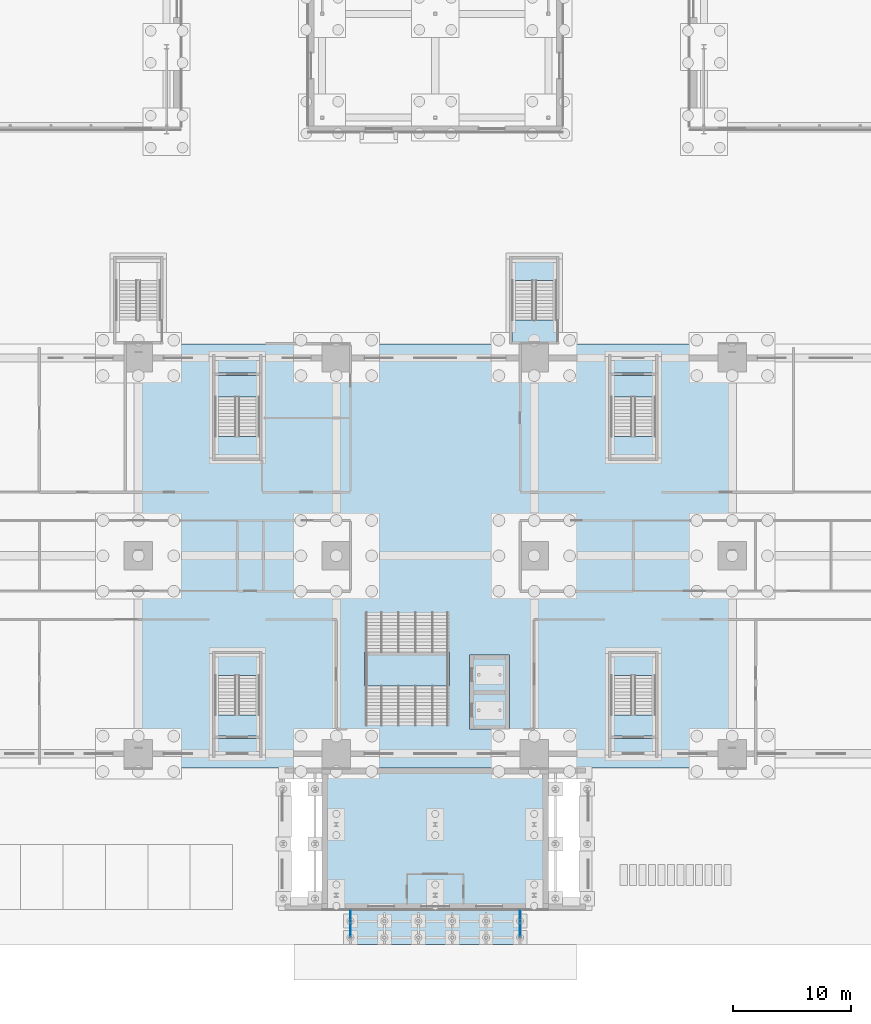
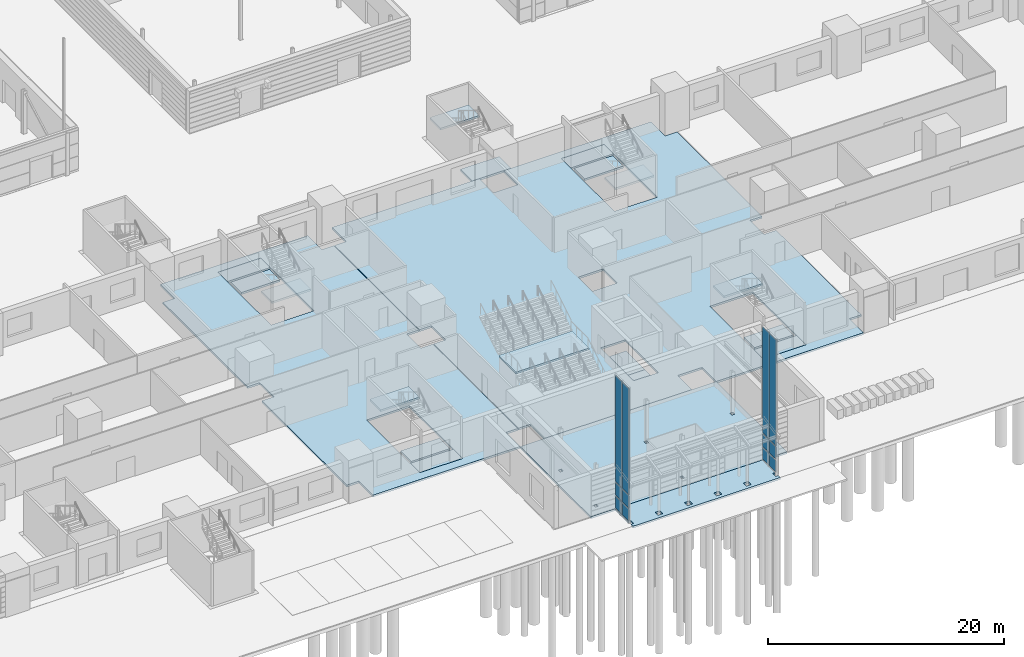
# One storey, part 73 of 139: 21 slabs, 12 plates, 8 elements without a shape of their own.
"""IFC4 building model written with IfcOpenShell, lengths in metres."""

from ifc_helpers import new_model, si_unit, direction, frame, origin, origin_2d, place, context, subcontext, project, spatial, polyline, rectangle, outline, extrude, material, layer, layer_set, type_object, element, aggregate, save


model = new_model("IFC4")

# Units and contexts
model_context = context("Model", 3, precision=1e-05, world=origin(), true_north=direction((0.0, 1.0)))
body_context = subcontext(model_context, "Body", "Model", "MODEL_VIEW")
ifc_project = project(units=[si_unit("LENGTHUNIT", "METRE"), si_unit("AREAUNIT", "SQUARE_METRE"), si_unit("VOLUMEUNIT", "CUBIC_METRE"), si_unit("PLANEANGLEUNIT", "RADIAN"), si_unit("MASSUNIT", "GRAM", prefix="KILO")], contexts=[model_context])

# Site, building, storey
site_placement = place(None, origin())
site = spatial("IfcSite", under=ifc_project, at=site_placement, CompositionType="ELEMENT")
building_placement = place(site_placement, origin())
building = spatial("IfcBuilding", under=site, at=building_placement, Name="Verrick Yard Athletic Hall", CompositionType="ELEMENT")
storey_placement = place(building_placement, origin())
storey = spatial("IfcBuildingStorey", under=building, at=storey_placement, Name="L00", CompositionType="ELEMENT", Elevation=0.0)

# Slabs
ifc_material_1 = material(Name="Concrete 35 MPa", Category="concrete")
ifc_layer_1 = layer(ifc_material_1, 0.199951171875)
ifc_layer_set_1 = layer_set([ifc_layer_1], Name="Core ground slab 200")
slab_type_1 = type_object("IfcSlabType", Name="Core ground slab 200", PredefinedType="BASESLAB", material=ifc_layer_set_1)
slab_1_placement = place(storey_placement, frame((0.0, 0.0, -0.199951171875)))
element("IfcSlab", 1, at=slab_1_placement, inside=storey, type_object=slab_type_1, Name="CORE-DT-N2-NL-L00", PredefinedType="BASESLAB", context=body_context, shape_type="SweptSolid", body=[
    extrude(outline(polyline([(109.10009765625, 54.0), (109.10009765625, 56.0), (105.300048828125, 56.0), (105.300048828125, 54.0), (109.10009765625, 54.0)])), origin(), (0.0, 0.0, 1.0), 0.199951171875),
])
slab_2_placement = place(storey_placement, frame((0.0, 0.0, -0.199951171875)))
element("IfcSlab", 2, at=slab_2_placement, inside=storey, type_object=slab_type_1, Name="CORE-PS-N2-NL-L00", PredefinedType="BASESLAB", context=body_context, shape_type="SweptSolid", body=[
    extrude(outline(polyline([(80.10009765625, 51.300048828125), (80.10009765625, 49.5), (83.89990234375, 49.5), (83.89990234375, 51.300048828125), (80.10009765625, 51.300048828125)])), origin(), (0.0, 0.0, 1.0), 0.199951171875),
])
slab_3_placement = place(storey_placement, frame((0.0, 0.0, -0.199951171875)))
element("IfcSlab", 3, at=slab_3_placement, inside=storey, type_object=slab_type_1, Name="CORE-PS-N2-VEST", PredefinedType="BASESLAB", context=body_context, shape_type="SweptSolid", body=[
    extrude(outline(polyline([(79.89990234375, 51.5), (84.10009765625, 51.5), (84.10009765625, 53.10009765625), (79.89990234375, 53.10009765625), (79.89990234375, 51.5)])), origin(), (0.0, 0.0, 1.0), 0.199951171875),
])
slab_4_placement = place(storey_placement, frame((0.0, 0.0, -0.199951171875)))
element("IfcSlab", 4, at=slab_4_placement, inside=storey, type_object=slab_type_1, Name="CORE-PS-N3-NL-L00", PredefinedType="BASESLAB", context=body_context, shape_type="SweptSolid", body=[
    extrude(outline(polyline([(113.699951171875, 51.300048828125), (113.699951171875, 49.5), (117.5, 49.5), (117.5, 51.300048828125), (113.699951171875, 51.300048828125)])), origin(), (0.0, 0.0, 1.0), 0.199951171875),
])
slab_5_placement = place(storey_placement, frame((0.0, 0.0, -0.199951171875)))
element("IfcSlab", 5, at=slab_5_placement, inside=storey, type_object=slab_type_1, Name="CORE-PS-N3-VEST", PredefinedType="BASESLAB", context=body_context, shape_type="SweptSolid", body=[
    extrude(outline(polyline([(113.5, 51.5), (117.699951171875, 51.5), (117.699951171875, 53.10009765625), (113.5, 53.10009765625), (113.5, 51.5)])), origin(), (0.0, 0.0, 1.0), 0.199951171875),
])
slab_6_placement = place(storey_placement, frame((0.0, 0.0, -0.199951171875)))
element("IfcSlab", 6, at=slab_6_placement, inside=storey, type_object=slab_type_1, Name="CORE-PS-S2-NL-L00", PredefinedType="BASESLAB", context=body_context, shape_type="SweptSolid", body=[
    extrude(outline(polyline([(83.89990234375, 20.699951171875), (83.89990234375, 22.5), (80.10009765625, 22.5), (80.10009765625, 20.699951171875), (83.89990234375, 20.699951171875)])), origin(), (0.0, 0.0, 1.0), 0.199951171875),
])
slab_7_placement = place(storey_placement, frame((0.0, 0.0, -0.199951171875)))
element("IfcSlab", 7, at=slab_7_placement, inside=storey, type_object=slab_type_1, Name="CORE-PS-S2-VEST", PredefinedType="BASESLAB", context=body_context, shape_type="SweptSolid", body=[
    extrude(outline(polyline([(79.89990234375, 18.89990234375), (84.10009765625, 18.89990234375), (84.10009765625, 20.5), (79.89990234375, 20.5), (79.89990234375, 18.89990234375)])), origin(), (0.0, 0.0, 1.0), 0.199951171875),
])
slab_8_placement = place(storey_placement, frame((0.0, 0.0, -0.199951171875)))
element("IfcSlab", 8, at=slab_8_placement, inside=storey, type_object=slab_type_1, Name="CORE-PS-S3-NL-L00", PredefinedType="BASESLAB", context=body_context, shape_type="SweptSolid", body=[
    extrude(outline(polyline([(117.5, 20.699951171875), (117.5, 22.5), (113.699951171875, 22.5), (113.699951171875, 20.699951171875), (117.5, 20.699951171875)])), origin(), (0.0, 0.0, 1.0), 0.199951171875),
])
slab_9_placement = place(storey_placement, frame((0.0, 0.0, -0.199951171875)))
element("IfcSlab", 9, at=slab_9_placement, inside=storey, type_object=slab_type_1, Name="CORE-PS-S3-VEST", PredefinedType="BASESLAB", context=body_context, shape_type="SweptSolid", body=[
    extrude(outline(polyline([(113.5, 18.89990234375), (117.699951171875, 18.89990234375), (117.699951171875, 20.5), (113.5, 20.5), (113.5, 18.89990234375)])), origin(), (0.0, 0.0, 1.0), 0.199951171875),
])

# Curtain wall, plates
ifc_material_2 = material(Name="Anodised aluminium", Category="aluminium")
ifc_layer_2 = layer(ifc_material_2, 0.199951171875)
ifc_layer_set_2 = layer_set([ifc_layer_2], Name="Front glazing")
curtain_wall_type = type_object("IfcCurtainWallType", Name="Front glazing", PredefinedType="NOTDEFINED", material=ifc_layer_set_2)
curtain_wall_1_placement = place(storey_placement, origin())
curtain_wall_1 = element("IfcCurtainWall", 10, at=curtain_wall_1_placement, inside=storey, type_object=curtain_wall_type, Name="ENVB-PORCH-W-CW", PredefinedType="NOTDEFINED")
ifc_material_3 = material(Name="Glass IGU low-e", Category="glass")
ifc_layer_3 = layer(ifc_material_3, 0.03125)
ifc_layer_set_3 = layer_set([ifc_layer_3], Name="Glazing panel 31")
plate_type = type_object("IfcPlateType", Name="Glazing panel 31", PredefinedType="CURTAIN_PANEL", material=ifc_layer_set_3)
plate_1_placement = place(storey_placement, frame((91.60009765625, 4.215087890625, 0.1201171875), z_axis=(0.0, 0.0, 1.0), x_axis=(0.0, 1.0, 0.0)))
plate_1 = element("IfcPlate", 11, at=plate_1_placement, type_object=plate_type, Name="ENVB-PORCH-W-CW/P00-00", PredefinedType="CURTAIN_PANEL", context=body_context, shape_type="SweptSolid", body=[
    extrude(rectangle(XDim=1.110107421875, YDim=0.03125, at=origin_2d()), origin(), (0.0, 0.0, 1.0), 1.219970703125),
])
plate_2_placement = place(storey_placement, frame((91.60009765625, 4.215087890625, 1.4599609375), z_axis=(0.0, 0.0, 1.0), x_axis=(0.0, 1.0, 0.0)))
plate_2 = element("IfcPlate", 12, at=plate_2_placement, type_object=plate_type, Name="ENVB-PORCH-W-CW/P00-01", PredefinedType="CURTAIN_PANEL", context=body_context, shape_type="SweptSolid", body=[
    extrude(rectangle(XDim=1.110107421875, YDim=0.03125, at=origin_2d()), origin(), (0.0, 0.0, 1.0), 1.280029296875),
])
plate_3_placement = place(storey_placement, frame((91.60009765625, 4.215087890625, 2.85986328125), z_axis=(0.0, 0.0, 1.0), x_axis=(0.0, 1.0, 0.0)))
plate_3 = element("IfcPlate", 13, at=plate_3_placement, type_object=plate_type, Name="ENVB-PORCH-W-CW/P00-02", PredefinedType="CURTAIN_PANEL", context=body_context, shape_type="SweptSolid", body=[
    extrude(rectangle(XDim=1.110107421875, YDim=0.03125, at=origin_2d()), origin(), (0.0, 0.0, 1.0), 10.97900390625),
])
plate_4_placement = place(storey_placement, frame((91.60009765625, 5.385009765625, 0.1201171875), z_axis=(0.0, 0.0, 1.0), x_axis=(0.0, 1.0, 0.0)))
plate_4 = element("IfcPlate", 14, at=plate_4_placement, type_object=plate_type, Name="ENVB-PORCH-W-CW/P01-00", PredefinedType="CURTAIN_PANEL", context=body_context, shape_type="SweptSolid", body=[
    extrude(rectangle(XDim=1.110107421875, YDim=0.03125, at=origin_2d()), origin(), (0.0, 0.0, 1.0), 1.219970703125),
])
plate_5_placement = place(storey_placement, frame((91.60009765625, 5.385009765625, 1.4599609375), z_axis=(0.0, 0.0, 1.0), x_axis=(0.0, 1.0, 0.0)))
plate_5 = element("IfcPlate", 15, at=plate_5_placement, type_object=plate_type, Name="ENVB-PORCH-W-CW/P01-01", PredefinedType="CURTAIN_PANEL", context=body_context, shape_type="SweptSolid", body=[
    extrude(rectangle(XDim=1.110107421875, YDim=0.03125, at=origin_2d()), origin(), (0.0, 0.0, 1.0), 1.280029296875),
])
plate_6_placement = place(storey_placement, frame((91.60009765625, 5.385009765625, 2.85986328125), z_axis=(0.0, 0.0, 1.0), x_axis=(0.0, 1.0, 0.0)))
plate_6 = element("IfcPlate", 16, at=plate_6_placement, type_object=plate_type, Name="ENVB-PORCH-W-CW/P01-02", PredefinedType="CURTAIN_PANEL", context=body_context, shape_type="SweptSolid", body=[
    extrude(rectangle(XDim=1.110107421875, YDim=0.03125, at=origin_2d()), origin(), (0.0, 0.0, 1.0), 10.97900390625),
])
aggregate(curtain_wall_1, [plate_1, plate_2, plate_3, plate_4, plate_5, plate_6])

curtain_wall_2_placement = place(storey_placement, origin())
curtain_wall_2 = element("IfcCurtainWall", 17, at=curtain_wall_2_placement, inside=storey, type_object=curtain_wall_type, Name="ENVB-PORCH-E-CW", PredefinedType="NOTDEFINED")
plate_7_placement = place(storey_placement, frame((106.0, 4.215087890625, 0.1201171875), z_axis=(0.0, 0.0, 1.0), x_axis=(0.0, 1.0, 0.0)))
plate_7 = element("IfcPlate", 18, at=plate_7_placement, type_object=plate_type, Name="ENVB-PORCH-E-CW/P00-00", PredefinedType="CURTAIN_PANEL", context=body_context, shape_type="SweptSolid", body=[
    extrude(rectangle(XDim=1.110107421875, YDim=0.03125, at=origin_2d()), origin(), (0.0, 0.0, 1.0), 1.219970703125),
])
plate_8_placement = place(storey_placement, frame((106.0, 4.215087890625, 1.4599609375), z_axis=(0.0, 0.0, 1.0), x_axis=(0.0, 1.0, 0.0)))
plate_8 = element("IfcPlate", 19, at=plate_8_placement, type_object=plate_type, Name="ENVB-PORCH-E-CW/P00-01", PredefinedType="CURTAIN_PANEL", context=body_context, shape_type="SweptSolid", body=[
    extrude(rectangle(XDim=1.110107421875, YDim=0.03125, at=origin_2d()), origin(), (0.0, 0.0, 1.0), 1.280029296875),
])
plate_9_placement = place(storey_placement, frame((106.0, 4.215087890625, 2.85986328125), z_axis=(0.0, 0.0, 1.0), x_axis=(0.0, 1.0, 0.0)))
plate_9 = element("IfcPlate", 20, at=plate_9_placement, type_object=plate_type, Name="ENVB-PORCH-E-CW/P00-02", PredefinedType="CURTAIN_PANEL", context=body_context, shape_type="SweptSolid", body=[
    extrude(rectangle(XDim=1.110107421875, YDim=0.03125, at=origin_2d()), origin(), (0.0, 0.0, 1.0), 10.97900390625),
])
plate_10_placement = place(storey_placement, frame((106.0, 5.385009765625, 0.1201171875), z_axis=(0.0, 0.0, 1.0), x_axis=(0.0, 1.0, 0.0)))
plate_10 = element("IfcPlate", 21, at=plate_10_placement, type_object=plate_type, Name="ENVB-PORCH-E-CW/P01-00", PredefinedType="CURTAIN_PANEL", context=body_context, shape_type="SweptSolid", body=[
    extrude(rectangle(XDim=1.110107421875, YDim=0.03125, at=origin_2d()), origin(), (0.0, 0.0, 1.0), 1.219970703125),
])
plate_11_placement = place(storey_placement, frame((106.0, 5.385009765625, 1.4599609375), z_axis=(0.0, 0.0, 1.0), x_axis=(0.0, 1.0, 0.0)))
plate_11 = element("IfcPlate", 22, at=plate_11_placement, type_object=plate_type, Name="ENVB-PORCH-E-CW/P01-01", PredefinedType="CURTAIN_PANEL", context=body_context, shape_type="SweptSolid", body=[
    extrude(rectangle(XDim=1.110107421875, YDim=0.03125, at=origin_2d()), origin(), (0.0, 0.0, 1.0), 1.280029296875),
])
plate_12_placement = place(storey_placement, frame((106.0, 5.385009765625, 2.85986328125), z_axis=(0.0, 0.0, 1.0), x_axis=(0.0, 1.0, 0.0)))
plate_12 = element("IfcPlate", 23, at=plate_12_placement, type_object=plate_type, Name="ENVB-PORCH-E-CW/P01-02", PredefinedType="CURTAIN_PANEL", context=body_context, shape_type="SweptSolid", body=[
    extrude(rectangle(XDim=1.110107421875, YDim=0.03125, at=origin_2d()), origin(), (0.0, 0.0, 1.0), 10.97900390625),
])
aggregate(curtain_wall_2, [plate_7, plate_8, plate_9, plate_10, plate_11, plate_12])

# Slabs
ifc_layer_4 = layer(ifc_material_1, 0.300048828125)
ifc_layer_set_4 = layer_set([ifc_layer_4], Name="Lift pit slab 300")
slab_type_2 = type_object("IfcSlabType", Name="Lift pit slab 300", PredefinedType="BASESLAB", material=ifc_layer_set_4)
slab_10_placement = place(storey_placement, frame((0.0, 0.0, -1.800048828125)))
element("IfcSlab", 24, at=slab_10_placement, inside=storey, type_object=slab_type_2, Name="CORE-LF-F1-PIT", PredefinedType="BASESLAB", context=body_context, shape_type="SweptSolid", body=[
    extrude(outline(polyline([(101.699951171875, 21.300048828125), (105.10009765625, 21.300048828125), (105.10009765625, 24.39990234375), (101.699951171875, 24.39990234375), (101.699951171875, 21.300048828125)])), origin(), (0.0, 0.0, 1.0), 0.300048828125),
])
slab_11_placement = place(storey_placement, frame((0.0, 0.0, -1.800048828125)))
element("IfcSlab", 25, at=slab_11_placement, inside=storey, type_object=slab_type_2, Name="CORE-LF-F2-PIT", PredefinedType="BASESLAB", context=body_context, shape_type="SweptSolid", body=[
    extrude(outline(polyline([(101.699951171875, 24.39990234375), (105.10009765625, 24.39990234375), (105.10009765625, 27.60009765625), (101.699951171875, 27.60009765625), (101.699951171875, 24.39990234375)])), origin(), (0.0, 0.0, 1.0), 0.300048828125),
])
ifc_layer_5 = layer(ifc_material_1, 0.199951171875)
ifc_layer_set_5 = layer_set([ifc_layer_5], Name="STR Ground slab SL1")
slab_type_3 = type_object("IfcSlabType", Name="STR Ground slab SL1", PredefinedType="BASESLAB", material=ifc_layer_set_5)
slab_12_placement = place(storey_placement, frame((0.0, 0.0, -0.199951171875)))
element("IfcSlab", 26, at=slab_12_placement, inside=storey, type_object=slab_type_3, Name="STR-SL-G-plinth-Z2A-1", PredefinedType="BASESLAB", context=body_context, shape_type="SweptSolid", body=[
    extrude(outline(polyline([(90.375, 20.39990234375), (90.375, 34.800048828125), (89.199951171875, 34.800048828125), (89.199951171875, 37.199951171875), (90.375, 37.199951171875), (90.375, 51.60009765625), (89.199951171875, 51.60009765625), (89.199951171875, 54.0), (74.800048828125, 54.0), (74.800048828125, 51.60009765625), (73.625, 51.60009765625), (73.625, 37.199951171875), (74.800048828125, 37.199951171875), (74.800048828125, 34.800048828125), (73.625, 34.800048828125), (73.625, 20.39990234375), (74.800048828125, 20.39990234375), (74.800048828125, 18.0), (89.199951171875, 18.0), (89.199951171875, 20.39990234375), (90.375, 20.39990234375)]), holes=[polyline([(79.89990234375, 18.89990234375), (79.89990234375, 27.89990234375), (84.10009765625, 27.89990234375), (84.10009765625, 18.89990234375), (79.89990234375, 18.89990234375)]), polyline([(79.89990234375, 53.10009765625), (84.10009765625, 53.10009765625), (84.10009765625, 44.10009765625), (79.89990234375, 44.10009765625), (79.89990234375, 53.10009765625)])]), origin(), (0.0, 0.0, 1.0), 0.199951171875),
])
slab_13_placement = place(storey_placement, frame((0.0, 0.0, -0.199951171875)))
element("IfcSlab", 27, at=slab_13_placement, inside=storey, type_object=slab_type_3, Name="STR-SL-G-plinth-Z2B-1", PredefinedType="BASESLAB", context=body_context, shape_type="SweptSolid", body=[
    extrude(outline(polyline([(123.97509765625, 20.39990234375), (123.97509765625, 34.800048828125), (122.800048828125, 34.800048828125), (122.800048828125, 37.199951171875), (123.97509765625, 37.199951171875), (123.97509765625, 51.60009765625), (122.800048828125, 51.60009765625), (122.800048828125, 54.0), (108.39990234375, 54.0), (108.39990234375, 51.60009765625), (106.0, 51.60009765625), (106.0, 54.0), (91.60009765625, 54.0), (91.60009765625, 51.60009765625), (90.425048828125, 51.60009765625), (90.425048828125, 37.199951171875), (91.60009765625, 37.199951171875), (91.60009765625, 34.800048828125), (90.425048828125, 34.800048828125), (90.425048828125, 20.39990234375), (91.60009765625, 20.39990234375), (91.60009765625, 18.0), (106.0, 18.0), (106.0, 20.39990234375), (108.39990234375, 20.39990234375), (108.39990234375, 18.0), (122.800048828125, 18.0), (122.800048828125, 20.39990234375), (123.97509765625, 20.39990234375)]), holes=[polyline([(102.39990234375, 24.39990234375), (102.39990234375, 27.199951171875), (104.800048828125, 27.199951171875), (104.800048828125, 24.39990234375), (104.800048828125, 21.60009765625), (102.39990234375, 21.60009765625), (102.39990234375, 24.39990234375)]), polyline([(113.5, 27.89990234375), (117.699951171875, 27.89990234375), (117.699951171875, 18.89990234375), (113.5, 18.89990234375), (113.5, 27.89990234375)]), polyline([(106.0, 34.800048828125), (106.0, 37.199951171875), (108.39990234375, 37.199951171875), (108.39990234375, 34.800048828125), (106.0, 34.800048828125)]), polyline([(113.5, 53.10009765625), (117.699951171875, 53.10009765625), (117.699951171875, 44.10009765625), (113.5, 44.10009765625), (113.5, 53.10009765625)])]), origin(), (0.0, 0.0, 1.0), 0.199951171875),
])
slab_14_placement = place(storey_placement, frame((0.0, 0.0, -0.199951171875)))
element("IfcSlab", 28, at=slab_14_placement, inside=storey, type_object=slab_type_3, Name="STR-SL-G-foyer-1", PredefinedType="BASESLAB", context=body_context, shape_type="SweptSolid", body=[
    extrude(outline(polyline([(108.39990234375, 6.0), (108.39990234375, 18.0), (106.0, 18.0), (91.60009765625, 18.0), (89.199951171875, 18.0), (89.199951171875, 6.0), (108.39990234375, 6.0)]), holes=[polyline([(90.2470703125, 7.35546875), (90.552978515625, 7.35546875), (90.552978515625, 7.04443359375), (90.2470703125, 7.04443359375), (90.2470703125, 7.35546875)]), polyline([(98.64697265625, 7.04443359375), (98.64697265625, 7.35546875), (98.952880859375, 7.35546875), (98.952880859375, 7.04443359375), (98.64697265625, 7.04443359375)]), polyline([(98.64697265625, 13.35546875), (98.952880859375, 13.35546875), (98.952880859375, 13.04443359375), (98.64697265625, 13.04443359375), (98.64697265625, 13.35546875)]), polyline([(90.2470703125, 13.35546875), (90.552978515625, 13.35546875), (90.552978515625, 13.04443359375), (90.2470703125, 13.04443359375), (90.2470703125, 13.35546875)]), polyline([(107.047119140625, 7.35546875), (107.35302734375, 7.35546875), (107.35302734375, 7.04443359375), (107.047119140625, 7.04443359375), (107.047119140625, 7.35546875)]), polyline([(107.047119140625, 13.04443359375), (107.047119140625, 13.35546875), (107.35302734375, 13.35546875), (107.35302734375, 13.04443359375), (107.047119140625, 13.04443359375)])]), origin(), (0.0, 0.0, 1.0), 0.199951171875),
])
ifc_layer_6 = layer(ifc_material_1, 0.199951171875)
ifc_layer_set_6 = layer_set([ifc_layer_6], Name="STR Porch slab SL8")
slab_type_4 = type_object("IfcSlabType", Name="STR Porch slab SL8", PredefinedType="BASESLAB", material=ifc_layer_set_6)
slab_15_placement = place(storey_placement, frame((0.0, 0.0, -0.199951171875)))
element("IfcSlab", 29, at=slab_15_placement, inside=storey, type_object=slab_type_4, Name="STR-SL-G-porch", PredefinedType="BASESLAB", context=body_context, shape_type="SweptSolid", body=[
    extrude(outline(polyline([(91.85009765625, 3.35009765625), (91.60009765625, 3.35009765625), (91.60009765625, 3.0), (106.0, 3.0), (106.0, 3.35009765625), (105.75, 3.35009765625), (105.75, 3.85009765625), (106.0, 3.85009765625), (106.0, 6.0), (91.60009765625, 6.0), (91.60009765625, 3.85009765625), (91.85009765625, 3.85009765625), (91.85009765625, 3.35009765625)]), holes=[polyline([(94.72998046875, 3.85009765625), (94.72998046875, 3.35009765625), (94.22998046875, 3.35009765625), (94.22998046875, 3.85009765625), (94.72998046875, 3.85009765625)]), polyline([(97.610107421875, 3.35009765625), (97.110107421875, 3.35009765625), (97.110107421875, 3.85009765625), (97.610107421875, 3.85009765625), (97.610107421875, 3.35009765625)]), polyline([(99.989990234375, 3.35009765625), (99.989990234375, 3.85009765625), (100.489990234375, 3.85009765625), (100.489990234375, 3.35009765625), (99.989990234375, 3.35009765625)]), polyline([(102.8701171875, 3.85009765625), (103.3701171875, 3.85009765625), (103.3701171875, 3.35009765625), (102.8701171875, 3.35009765625), (102.8701171875, 3.85009765625)])]), origin(), (0.0, 0.0, 1.0), 0.199951171875),
])

# Stair, slab
stair_type_1 = type_object("IfcStairType", Name="Stair ST3 1800 wide 26 risers", PredefinedType="HALF_TURN_STAIR", material=ifc_material_1)
stair_1_placement = place(storey_placement, origin())
stair_1 = element("IfcStair", 30, at=stair_1_placement, inside=storey, type_object=stair_type_1, Name="North deck escape 2 stair L00", PredefinedType="HALF_TURN_STAIR")
ifc_layer_7 = layer(ifc_material_1, 0.199951171875)
ifc_layer_set_7 = layer_set([ifc_layer_7], Name="Stair landing slab 200")
slab_type_5 = type_object("IfcSlabType", Name="Stair landing slab 200", PredefinedType="LANDING", material=ifc_layer_set_7)
slab_16_placement = place(storey_placement, frame((0.0, 0.0, 2.0)))
slab_16 = element("IfcSlab", 31, at=slab_16_placement, type_object=slab_type_5, Name="ST3 landing 1", PredefinedType="LANDING", context=body_context, shape_type="SweptSolid", body=[
    extrude(outline(polyline([(109.10009765625, 59.360107421875), (109.10009765625, 61.199951171875), (105.300048828125, 61.199951171875), (105.300048828125, 59.360107421875), (109.10009765625, 59.360107421875)])), origin(), (0.0, 0.0, 1.0), 0.199951171875),
])
aggregate(stair_1, [slab_16])

stair_2_placement = place(storey_placement, origin())
stair_2 = element("IfcStair", 32, at=stair_2_placement, inside=storey, type_object=stair_type_1, Name="North plinth exit 2 stair L00", PredefinedType="HALF_TURN_STAIR")
slab_17_placement = place(storey_placement, frame((0.0, 0.0, 2.0)))
slab_17 = element("IfcSlab", 33, at=slab_17_placement, type_object=slab_type_5, Name="ST3 landing 1", PredefinedType="LANDING", context=body_context, shape_type="SweptSolid", body=[
    extrude(outline(polyline([(80.10009765625, 46.139892578125), (80.10009765625, 44.300048828125), (83.89990234375, 44.300048828125), (83.89990234375, 46.139892578125), (80.10009765625, 46.139892578125)])), origin(), (0.0, 0.0, 1.0), 0.199951171875),
])
aggregate(stair_2, [slab_17])

stair_3_placement = place(storey_placement, origin())
stair_3 = element("IfcStair", 34, at=stair_3_placement, inside=storey, type_object=stair_type_1, Name="North plinth exit 3 stair L00", PredefinedType="HALF_TURN_STAIR")
slab_18_placement = place(storey_placement, frame((0.0, 0.0, 2.0)))
slab_18 = element("IfcSlab", 35, at=slab_18_placement, type_object=slab_type_5, Name="ST3 landing 1", PredefinedType="LANDING", context=body_context, shape_type="SweptSolid", body=[
    extrude(outline(polyline([(113.699951171875, 46.139892578125), (113.699951171875, 44.300048828125), (117.5, 44.300048828125), (117.5, 46.139892578125), (113.699951171875, 46.139892578125)])), origin(), (0.0, 0.0, 1.0), 0.199951171875),
])
aggregate(stair_3, [slab_18])

stair_4_placement = place(storey_placement, origin())
stair_4 = element("IfcStair", 36, at=stair_4_placement, inside=storey, type_object=stair_type_1, Name="South plinth exit 2 stair L00", PredefinedType="HALF_TURN_STAIR")
slab_19_placement = place(storey_placement, frame((0.0, 0.0, 2.0)))
slab_19 = element("IfcSlab", 37, at=slab_19_placement, type_object=slab_type_5, Name="ST3 landing 1", PredefinedType="LANDING", context=body_context, shape_type="SweptSolid", body=[
    extrude(outline(polyline([(83.89990234375, 25.860107421875), (83.89990234375, 27.699951171875), (80.10009765625, 27.699951171875), (80.10009765625, 25.860107421875), (83.89990234375, 25.860107421875)])), origin(), (0.0, 0.0, 1.0), 0.199951171875),
])
aggregate(stair_4, [slab_19])

stair_5_placement = place(storey_placement, origin())
stair_5 = element("IfcStair", 38, at=stair_5_placement, inside=storey, type_object=stair_type_1, Name="South plinth exit 3 stair L00", PredefinedType="HALF_TURN_STAIR")
slab_20_placement = place(storey_placement, frame((0.0, 0.0, 2.0)))
slab_20 = element("IfcSlab", 39, at=slab_20_placement, type_object=slab_type_5, Name="ST3 landing 1", PredefinedType="LANDING", context=body_context, shape_type="SweptSolid", body=[
    extrude(outline(polyline([(117.5, 25.860107421875), (117.5, 27.699951171875), (113.699951171875, 27.699951171875), (113.699951171875, 25.860107421875), (117.5, 25.860107421875)])), origin(), (0.0, 0.0, 1.0), 0.199951171875),
])
aggregate(stair_5, [slab_20])

stair_type_2 = type_object("IfcStairType", Name="Stair ST5 7200 wide 13 risers", PredefinedType="HALF_TURN_STAIR", material=ifc_material_1)
stair_6_placement = place(storey_placement, origin())
stair_6 = element("IfcStair", 40, at=stair_6_placement, inside=storey, type_object=stair_type_2, Name="Foyer stair", PredefinedType="STRAIGHT_RUN_STAIR")
slab_21_placement = place(storey_placement, frame((0.0, 0.0, 2.0)))
slab_21 = element("IfcSlab", 41, at=slab_21_placement, type_object=slab_type_5, Name="ST5 landing 1", PredefinedType="LANDING", context=body_context, shape_type="SweptSolid", body=[
    extrude(outline(polyline([(92.800048828125, 24.9599609375), (100.0, 24.9599609375), (100.0, 27.840087890625), (92.800048828125, 27.840087890625), (92.800048828125, 24.9599609375)])), origin(), (0.0, 0.0, 1.0), 0.199951171875),
])
aggregate(stair_6, [slab_21])

save(model, "model.ifc")
